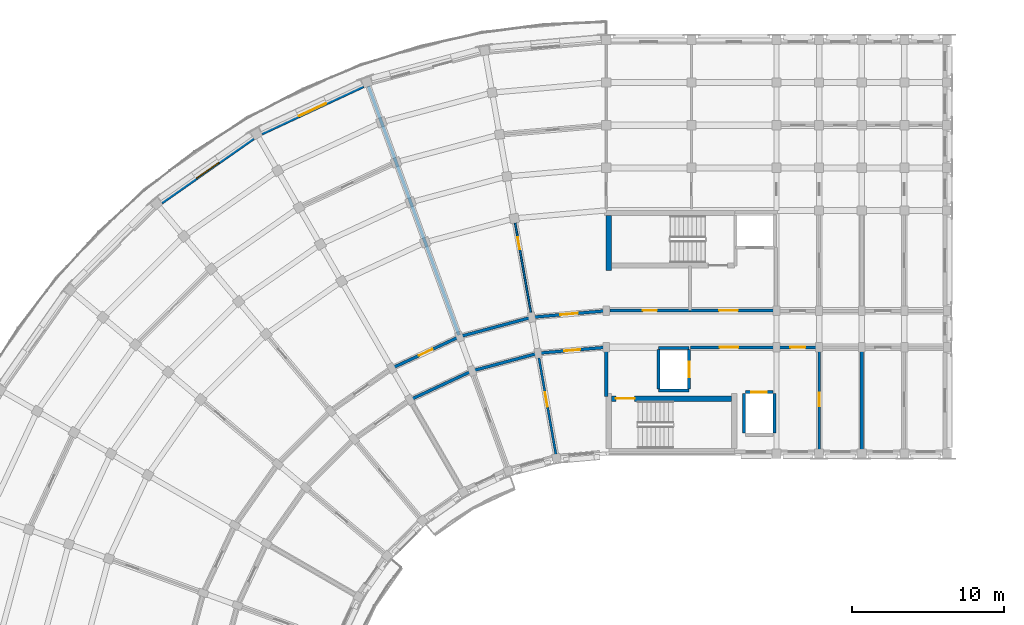
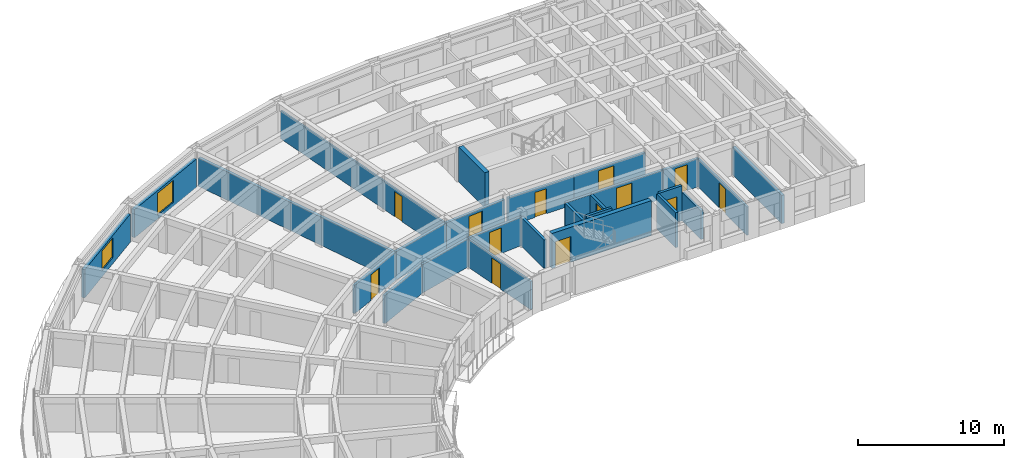
# One storey, part 25 of 53: 27 walls, 13 doors, 2 windows, 15 openings.
"""IFC4 building model written with IfcOpenShell, lengths in metres."""

from ifc_helpers import new_model, si_unit, direction, frame, frame_2d, origin, place, context, subcontext, project, spatial, rectangle, extrude, material, layer, layer_set, type_object, element, fill, save


model = new_model("IFC4")

# Units and contexts
model_context = context("Model", 3, precision=1e-05, world=origin(), true_north=direction((0.0, 1.0)))
body_context = subcontext(model_context, "Body", "Model", "MODEL_VIEW")
ifc_project = project(units=[si_unit("LENGTHUNIT", "METRE"), si_unit("AREAUNIT", "SQUARE_METRE"), si_unit("VOLUMEUNIT", "CUBIC_METRE"), si_unit("PLANEANGLEUNIT", "RADIAN"), si_unit("MASSUNIT", "GRAM", prefix="KILO")], contexts=[model_context])

# Site, building, storey
site_placement = place(None, origin())
site = spatial("IfcSite", under=ifc_project, at=site_placement, CompositionType="ELEMENT")
building_placement = place(site_placement, origin())
building = spatial("IfcBuilding", under=site, at=building_placement, Name="Kiranvali Square Residences", CompositionType="ELEMENT")
storey_placement = place(building_placement, frame((0.0, 0.0, 30.75)))
storey = spatial("IfcBuildingStorey", under=building, at=storey_placement, Name="L09", CompositionType="ELEMENT", Elevation=30.75)

# Wall, opening, door
ifc_material_1 = material(Name="Autoclaved aerated concrete blockwork masonry", Category="masonry")
ifc_layer_1 = layer(ifc_material_1, 0.199951171875)
ifc_layer_set_1 = layer_set([ifc_layer_1], Name="Autoclaved aerated concrete blockwork masonry")
wall_type_1 = type_object("IfcWallType", Name="WL-COR-200", PredefinedType="STANDARD", material=ifc_layer_set_1)
wall_1_placement = place(storey_placement, frame((53.75, 113.60009765625, 0.0), z_axis=(0.0, 0.0, 1.0), x_axis=(1.0, 0.0, 0.0)))
wall_1 = element("IfcWall", 1, at=wall_1_placement, inside=storey, type_object=wall_type_1, Name="L09 architectural wall WL-L09-A-LL-COR", PredefinedType="STANDARD", context=body_context, shape_type="SweptSolid", body=[
    extrude(rectangle(XDim=5.60009765625, YDim=0.199951171875, at=frame_2d((2.800048828125, 0.0))), origin(), (0.0, 0.0, 1.0), 2.3720703125),
])
opening_1_placement = place(wall_1_placement, frame((1.909912109375, 0.0, 0.0)))
opening_1 = element("IfcOpeningElement", 2, at=opening_1_placement, cuts=wall_1, Name="Opening FD-COR-60", PredefinedType="OPENING", context=body_context, shape_type="SweptSolid", body=[
    extrude(rectangle(XDim=1.219970703125, YDim=2.14990234375, at=frame_2d((0.60986328125, 1.074951171875))), frame((0.0, 0.10986328125, 0.0), z_axis=(0.0, -1.0, 0.0), x_axis=(1.0, 0.0, 0.0)), (0.0, 0.0, 1.0), 0.219970703125),
])
ifc_material_2 = material(Name="Fire-rated acoustic hardwood and mineral-core door assembly", Category="wood")
door_type_1 = type_object("IfcDoorType", Name="DR-FD60-1200", OperationType="NOTDEFINED", PredefinedType="DOOR", material=ifc_material_2)
door_1_placement = place(opening_1_placement, frame((1.219970703125, 0.0, 0.0), z_axis=(0.0, 0.0, 1.0), x_axis=(-1.0, 0.0, 0.0)))
door_1 = element("IfcDoor", 3, at=door_1_placement, inside=storey, type_object=door_type_1, Name="L09 door DR-L09-0576 (DR-FD60-1200)", OperationType="SINGLE_SWING_RIGHT", OverallHeight=2.14990234375, OverallWidth=1.219970703125, PredefinedType="DOOR", context=body_context, shape_type="SweptSolid", body=[
    extrude(rectangle(XDim=1.219970703125, YDim=2.14990234375, at=frame_2d((0.60986328125, 1.074951171875))), frame((0.0, 0.02490234375, 0.0), z_axis=(0.0, -1.0, 0.0), x_axis=(1.0, 0.0, 0.0)), (0.0, 0.0, 1.0), 0.050048828125),
])
fill(opening_1, door_1)

wall_2_placement = place(storey_placement, frame((59.39990234375, 113.60009765625, 0.0), z_axis=(0.0, 0.0, 1.0), x_axis=(1.0, 0.0, 0.0)))
wall_2 = element("IfcWall", 4, at=wall_2_placement, inside=storey, type_object=wall_type_1, Name="L09 architectural wall WL-L09-A-A1CI-0", PredefinedType="STANDARD", context=body_context, shape_type="SweptSolid", body=[
    extrude(rectangle(XDim=2.800048828125, YDim=0.199951171875, at=frame_2d((1.39990234375, 0.0))), origin(), (0.0, 0.0, 1.0), 2.3720703125),
])
opening_2_placement = place(wall_2_placement, frame((0.89990234375, 0.0, 0.0)))
opening_2 = element("IfcOpeningElement", 5, at=opening_2_placement, cuts=wall_2, Name="Opening FD-APT-60", PredefinedType="OPENING", context=body_context, shape_type="SweptSolid", body=[
    extrude(rectangle(XDim=1.0, YDim=2.14990234375, at=frame_2d((0.5, 1.074951171875))), frame((0.0, 0.10986328125, 0.0), z_axis=(0.0, -1.0, 0.0), x_axis=(1.0, 0.0, 0.0)), (0.0, 0.0, 1.0), 0.219970703125),
])
door_type_2 = type_object("IfcDoorType", Name="DR-APT-1000", OperationType="NOTDEFINED", PredefinedType="DOOR", material=ifc_material_2)
door_2_placement = place(opening_2_placement, frame((1.0, 0.0, 0.0), z_axis=(0.0, 0.0, 1.0), x_axis=(-1.0, 0.0, 0.0)))
door_2 = element("IfcDoor", 6, at=door_2_placement, inside=storey, type_object=door_type_2, Name="L09 door DR-L09-0580 (DR-APT-1000)", OperationType="SINGLE_SWING_RIGHT", OverallHeight=2.14990234375, OverallWidth=1.0, PredefinedType="DOOR", context=body_context, shape_type="SweptSolid", body=[
    extrude(rectangle(XDim=1.0, YDim=2.14990234375, at=frame_2d((0.5, 1.074951171875))), frame((0.0, 0.02490234375, 0.0), z_axis=(0.0, -1.0, 0.0), x_axis=(1.0, 0.0, 0.0)), (0.0, 0.0, 1.0), 0.050048828125),
])
fill(opening_2, door_2)

wall_3_placement = place(storey_placement, frame((48.199951171875, 113.60009765625, 0.0), z_axis=(0.0, 0.0, 1.0), x_axis=(-0.996191949488, -0.087187153726, 0.0)))
wall_3 = element("IfcWall", 7, at=wall_3_placement, inside=storey, type_object=wall_type_1, Name="L09 architectural wall WL-L09-A-CCI-0", PredefinedType="STANDARD", context=body_context, shape_type="SweptSolid", body=[
    extrude(rectangle(XDim=4.4970703125, YDim=0.199951171875, at=frame_2d((2.24853515625, 0.0))), origin(), (0.0, 0.0, 1.0), 2.3720703125),
])
opening_3_placement = place(wall_3_placement, frame((1.728515625, 0.0, 0.0)))
opening_3 = element("IfcOpeningElement", 8, at=opening_3_placement, cuts=wall_3, Name="Opening FD-APT-60B", PredefinedType="OPENING", context=body_context, shape_type="SweptSolid", body=[
    extrude(rectangle(XDim=1.0400390625, YDim=2.14990234375, at=frame_2d((0.52001953125, 1.074951171875))), frame((0.0, 0.10986328125, 0.0), z_axis=(0.0, -1.0, 0.0), x_axis=(1.0, 0.0, 0.0)), (0.0, 0.0, 1.0), 0.219970703125),
])
door_type_3 = type_object("IfcDoorType", Name="DR-APT-1040", OperationType="NOTDEFINED", PredefinedType="DOOR", material=ifc_material_2)
door_3_placement = place(opening_3_placement, frame((1.0400390625, 0.0, 0.0), z_axis=(0.0, 0.0, 1.0), x_axis=(-1.0, 0.0, 0.0)))
door_3 = element("IfcDoor", 9, at=door_3_placement, inside=storey, type_object=door_type_3, Name="L09 door DR-L09-0616 (DR-APT-1040)", OperationType="SINGLE_SWING_RIGHT", OverallHeight=2.14990234375, OverallWidth=1.0400390625, PredefinedType="DOOR", context=body_context, shape_type="SweptSolid", body=[
    extrude(rectangle(XDim=1.0400390625, YDim=2.14990234375, at=frame_2d((0.52001953125, 1.074951171875))), frame((0.0, 0.02490234375, 0.0), z_axis=(0.0, -1.0, 0.0), x_axis=(1.0, 0.0, 0.0)), (0.0, 0.0, 1.0), 0.050048828125),
])
fill(opening_3, door_3)

wall_4_placement = place(storey_placement, frame((48.199951171875, 116.0, 0.0), z_axis=(0.0, 0.0, 1.0), x_axis=(-0.996193663584, -0.087167566415, 0.0)))
wall_4 = element("IfcWall", 10, at=wall_4_placement, inside=storey, type_object=wall_type_1, Name="L09 architectural wall WL-L09-A-CCO-0", PredefinedType="STANDARD", context=body_context, shape_type="SweptSolid", body=[
    extrude(rectangle(XDim=4.91552734375, YDim=0.199951171875, at=frame_2d((2.457763671875, 0.0))), origin(), (0.0, 0.0, 1.0), 2.3720703125),
])
opening_4_placement = place(wall_4_placement, frame((1.8876953125, 0.0, 0.0)))
opening_4 = element("IfcOpeningElement", 11, at=opening_4_placement, cuts=wall_4, Name="Opening FD-APT-60D", PredefinedType="OPENING", context=body_context, shape_type="SweptSolid", body=[
    extrude(rectangle(XDim=1.139892578125, YDim=2.14990234375, at=frame_2d((0.56982421875, 1.074951171875))), frame((0.0, 0.10986328125, 0.0), z_axis=(0.0, -1.0, 0.0), x_axis=(1.0, 0.0, 0.0)), (0.0, 0.0, 1.0), 0.219970703125),
])
door_type_4 = type_object("IfcDoorType", Name="DR-APT-1140", OperationType="NOTDEFINED", PredefinedType="DOOR", material=ifc_material_2)
door_4_placement = place(opening_4_placement, origin())
door_4 = element("IfcDoor", 12, at=door_4_placement, inside=storey, type_object=door_type_4, Name="L09 door DR-L09-0607 (DR-APT-1140)", OperationType="SINGLE_SWING_LEFT", OverallHeight=2.14990234375, OverallWidth=1.139892578125, PredefinedType="DOOR", context=body_context, shape_type="SweptSolid", body=[
    extrude(rectangle(XDim=1.139892578125, YDim=2.14990234375, at=frame_2d((0.56982421875, 1.074951171875))), frame((0.0, 0.02490234375, 0.0), z_axis=(0.0, -1.0, 0.0), x_axis=(1.0, 0.0, 0.0)), (0.0, 0.0, 1.0), 0.050048828125),
])
fill(opening_4, door_4)

# Walls
wall_5_placement = place(storey_placement, frame((43.719970703125, 113.2080078125, 0.0), z_axis=(0.0, 0.0, 1.0), x_axis=(-0.965934240054, -0.258787642463, 0.0)))
element("IfcWall", 13, at=wall_5_placement, inside=storey, type_object=wall_type_1, Name="L09 architectural wall WL-L09-A-CCI-1", PredefinedType="STANDARD", context=body_context, shape_type="SweptSolid", body=[
    extrude(rectangle(XDim=4.497314453125, YDim=0.199951171875, at=frame_2d((2.24853515625, 0.0))), origin(), (0.0, 0.0, 1.0), 2.3720703125),
])
wall_6_placement = place(storey_placement, frame((43.30322265625, 115.571533203125, 0.0), z_axis=(0.0, 0.0, 1.0), x_axis=(-0.965930095386, -0.258803112091, 0.0)))
element("IfcWall", 14, at=wall_6_placement, inside=storey, type_object=wall_type_1, Name="L09 architectural wall WL-L09-A-CCO-1", PredefinedType="STANDARD", context=body_context, shape_type="SweptSolid", body=[
    extrude(rectangle(XDim=4.915771484375, YDim=0.199951171875, at=frame_2d((2.4580078125, 0.0))), origin(), (0.0, 0.0, 1.0), 2.3720703125),
])
wall_7_placement = place(storey_placement, frame((39.3759765625, 112.044189453125, 0.0), z_axis=(0.0, 0.0, 1.0), x_axis=(-0.906307919131, -0.422617978463, 0.0)))
element("IfcWall", 15, at=wall_7_placement, inside=storey, type_object=wall_type_1, Name="L09 architectural wall WL-L09-A-CCI-2", PredefinedType="STANDARD", context=body_context, shape_type="SweptSolid", body=[
    extrude(rectangle(XDim=4.497314453125, YDim=0.199951171875, at=frame_2d((2.24853515625, 0.0))), origin(), (0.0, 0.0, 1.0), 2.3720703125),
])

# Wall, opening, door
wall_8_placement = place(storey_placement, frame((38.554931640625, 114.29931640625, 0.0), z_axis=(0.0, 0.0, 1.0), x_axis=(-0.906302381024, -0.422629854778, 0.0)))
wall_8 = element("IfcWall", 16, at=wall_8_placement, inside=storey, type_object=wall_type_1, Name="L09 architectural wall WL-L09-A-CCO-2", PredefinedType="STANDARD", context=body_context, shape_type="SweptSolid", body=[
    extrude(rectangle(XDim=4.915283203125, YDim=0.199951171875, at=frame_2d((2.45751953125, 0.0))), origin(), (0.0, 0.0, 1.0), 2.3720703125),
])
opening_5_placement = place(wall_8_placement, frame((1.957763671875, 0.0, 0.0)))
opening_5 = element("IfcOpeningElement", 17, at=opening_5_placement, cuts=wall_8, Name="Opening FD-APT-60", PredefinedType="OPENING", context=body_context, shape_type="SweptSolid", body=[
    extrude(rectangle(XDim=1.0, YDim=2.14990234375, at=frame_2d((0.5, 1.074951171875))), frame((0.0, 0.10986328125, 0.0), z_axis=(0.0, -1.0, 0.0), x_axis=(1.0, 0.0, 0.0)), (0.0, 0.0, 1.0), 0.219970703125),
])
door_5_placement = place(opening_5_placement, origin())
door_5 = element("IfcDoor", 18, at=door_5_placement, inside=storey, type_object=door_type_2, Name="L09 door DR-L09-0609 (DR-APT-1000)", OperationType="SINGLE_SWING_LEFT", OverallHeight=2.14990234375, OverallWidth=1.0, PredefinedType="DOOR", context=body_context, shape_type="SweptSolid", body=[
    extrude(rectangle(XDim=1.0, YDim=2.14990234375, at=frame_2d((0.5, 1.074951171875))), frame((0.0, 0.02490234375, 0.0), z_axis=(0.0, -1.0, 0.0), x_axis=(1.0, 0.0, 0.0)), (0.0, 0.0, 1.0), 0.050048828125),
])
fill(opening_5, door_5)

# Walls
ifc_layer_2 = layer(ifc_material_1, 0.219970703125)
ifc_layer_set_2 = layer_set([ifc_layer_2], Name="Autoclaved aerated concrete blockwork masonry")
wall_type_2 = type_object("IfcWallType", Name="WL-DEM-220", PredefinedType="STANDARD", material=ifc_layer_set_2)
wall_9_placement = place(storey_placement, frame((65.0, 106.800048828125, 0.0), z_axis=(0.0, 0.0, 1.0), x_axis=(0.0, 1.0, 0.0)))
element("IfcWall", 19, at=wall_9_placement, inside=storey, type_object=wall_type_2, Name="L09 architectural wall WL-L09-A-A1TI-2", PredefinedType="STANDARD", context=body_context, shape_type="SweptSolid", body=[
    extrude(rectangle(XDim=6.75, YDim=0.219970703125, at=frame_2d((3.375, 0.0))), origin(), (0.0, 0.0, 1.0), 2.3720703125),
])
wall_10_placement = place(storey_placement, frame((48.199951171875, 110.35009765625, 0.0), z_axis=(0.0, 0.0, 1.0), x_axis=(0.0, 1.0, 0.0)))
element("IfcWall", 20, at=wall_10_placement, inside=storey, type_object=wall_type_2, Name="L09 architectural wall WL-L09-A-RADI-0", PredefinedType="STANDARD", context=body_context, shape_type="SweptSolid", body=[
    extrude(rectangle(XDim=3.199951171875, YDim=0.219970703125, at=frame_2d((1.60009765625, 0.0))), origin(), (0.0, 0.0, 1.0), 2.3720703125),
])
wall_11_placement = place(storey_placement, frame((38.520751953125, 114.393310546875, 0.0), z_axis=(0.0, 0.0, 1.0), x_axis=(-0.342022120477, 0.939691901159, 0.0)))
element("IfcWall", 21, at=wall_11_placement, inside=storey, type_object=wall_type_2, Name="L09 architectural wall WL-L09-A-RADO-2", PredefinedType="STANDARD", context=body_context, shape_type="SweptSolid", body=[
    extrude(rectangle(XDim=17.419921875, YDim=0.219970703125, at=frame_2d((8.7099609375, 0.0))), origin(), (0.0, 0.0, 1.0), 2.3720703125),
])

# Wall, opening, window
ifc_material_3 = material(Name="Breathable lime-rendered clay brick masonry", Category="masonry")
ifc_layer_3 = layer(ifc_material_3, 0.25)
ifc_layer_set_3 = layer_set([ifc_layer_3], Name="Breathable lime-rendered clay brick masonry")
wall_type_3 = type_object("IfcWallType", Name="WL-EXT-250", PredefinedType="STANDARD", material=ifc_layer_set_3)
wall_12_placement = place(storey_placement, frame((32.224853515625, 130.77490234375, 0.0), z_axis=(0.0, 0.0, 1.0), x_axis=(-0.906321090675, -0.422589730823, 0.0)))
wall_12 = element("IfcWall", 22, at=wall_12_placement, inside=storey, type_object=wall_type_3, Name="L09 exterior wall A-L09-CRV-02", PredefinedType="STANDARD", context=body_context, shape_type="SweptSolid", body=[
    extrude(rectangle(XDim=7.3671875, YDim=0.25, at=frame_2d((3.68359375, 0.0))), origin(), (0.0, 0.0, 1.0), 2.3720703125),
])
opening_6_placement = place(wall_12_placement, frame((2.70849609375, 0.0, 0.322021484375)))
opening_6 = element("IfcOpeningElement", 23, at=opening_6_placement, cuts=wall_12, Name="Opening W-12", PredefinedType="OPENING", context=body_context, shape_type="SweptSolid", body=[
    extrude(rectangle(XDim=1.949951171875, YDim=1.85009765625, at=frame_2d((0.97509765625, 0.925048828125))), frame((0.0, 0.135009765625, 0.0), z_axis=(0.0, -1.0, 0.0), x_axis=(1.0, 0.0, 0.0)), (0.0, 0.0, 1.0), 0.27001953125),
])
ifc_material_4 = material(Name="Solar-control low-e double glazing", Category="glass")
window_type_1 = type_object("IfcWindowType", Name="WIN-RES-1950x1850", PartitioningType="DOUBLE_PANEL_VERTICAL", PredefinedType="WINDOW", material=ifc_material_4)
window_1_placement = place(opening_6_placement, origin())
window_1 = element("IfcWindow", 24, at=window_1_placement, inside=storey, type_object=window_type_1, Name="L09 recessed window A-L09-CRV-02", OverallHeight=1.85009765625, OverallWidth=1.949951171875, PartitioningType="DOUBLE_PANEL_VERTICAL", PredefinedType="WINDOW", context=body_context, shape_type="SweptSolid", body=[
    extrude(rectangle(XDim=1.949951171875, YDim=1.85009765625, at=frame_2d((0.97509765625, 0.925048828125))), frame((0.0, 0.030029296875, 0.0), z_axis=(0.0, -1.0, 0.0), x_axis=(1.0, 0.0, 0.0)), (0.0, 0.0, 1.0), 0.06005859375),
])
fill(opening_6, window_1)

wall_13_placement = place(storey_placement, frame((25.0048828125, 127.347900390625, 0.0), z_axis=(0.0, 0.0, 1.0), x_axis=(-0.819147839112, -0.573582441919, 0.0)))
wall_13 = element("IfcWall", 25, at=wall_13_placement, inside=storey, type_object=wall_type_3, Name="L09 exterior wall A-L09-CRV-03", PredefinedType="STANDARD", context=body_context, shape_type="SweptSolid", body=[
    extrude(rectangle(XDim=7.366943359375, YDim=0.25, at=frame_2d((3.68359375, 0.0))), origin(), (0.0, 0.0, 1.0), 2.3720703125),
])
opening_7_placement = place(wall_13_placement, frame((2.783447265625, 0.0, 0.52197265625)))
opening_7 = element("IfcOpeningElement", 26, at=opening_7_placement, cuts=wall_13, Name="Opening W-04", PredefinedType="OPENING", context=body_context, shape_type="SweptSolid", body=[
    extrude(rectangle(XDim=1.800048828125, YDim=1.64990234375, at=frame_2d((0.89990234375, 0.824951171875))), frame((0.0, 0.135009765625, 0.0), z_axis=(0.0, -1.0, 0.0), x_axis=(1.0, 0.0, 0.0)), (0.0, 0.0, 1.0), 0.27001953125),
])
window_type_2 = type_object("IfcWindowType", Name="WIN-RES-1800x1650", PartitioningType="DOUBLE_PANEL_VERTICAL", PredefinedType="WINDOW", material=ifc_material_4)
window_2_placement = place(opening_7_placement, origin())
window_2 = element("IfcWindow", 27, at=window_2_placement, inside=storey, type_object=window_type_2, Name="L09 recessed window A-L09-CRV-03", OverallHeight=1.64990234375, OverallWidth=1.800048828125, PartitioningType="DOUBLE_PANEL_VERTICAL", PredefinedType="WINDOW", context=body_context, shape_type="SweptSolid", body=[
    extrude(rectangle(XDim=1.800048828125, YDim=1.64990234375, at=frame_2d((0.89990234375, 0.824951171875))), frame((0.0, 0.030029296875, 0.0), z_axis=(0.0, -1.0, 0.0), x_axis=(1.0, 0.0, 0.0)), (0.0, 0.0, 1.0), 0.06005859375),
])
fill(opening_7, window_2)

# Wall, opening, door
ifc_layer_4 = layer(ifc_material_1, 0.199951171875)
ifc_layer_set_4 = layer_set([ifc_layer_4], Name="Autoclaved aerated concrete blockwork masonry")
wall_type_4 = type_object("IfcWallType", Name="WL-FFL-200", PredefinedType="STANDARD", material=ifc_layer_set_4)
wall_14_placement = place(storey_placement, frame((53.699951171875, 116.02001953125, 0.0), z_axis=(0.0, 0.0, 1.0), x_axis=(1.0, 0.0, 0.0)))
wall_14 = element("IfcWall", 28, at=wall_14_placement, inside=storey, type_object=wall_type_4, Name="L09 architectural wall WL-L09-A-FF-COR", PredefinedType="STANDARD", context=body_context, shape_type="SweptSolid", body=[
    extrude(rectangle(XDim=5.650146484375, YDim=0.199951171875, at=frame_2d((2.8251953125, 0.0))), origin(), (0.0, 0.0, 1.0), 2.3720703125),
])
opening_8_placement = place(wall_14_placement, frame((1.922607421875, 0.0, 0.0)))
opening_8 = element("IfcOpeningElement", 29, at=opening_8_placement, cuts=wall_14, Name="Opening FD-ST-120", PredefinedType="OPENING", context=body_context, shape_type="SweptSolid", body=[
    extrude(rectangle(XDim=1.239990234375, YDim=2.14990234375, at=frame_2d((0.6201171875, 1.074951171875))), frame((0.0, 0.10986328125, 0.0), z_axis=(0.0, -1.0, 0.0), x_axis=(1.0, 0.0, 0.0)), (0.0, 0.0, 1.0), 0.219970703125),
])
door_type_5 = type_object("IfcDoorType", Name="DR-FD120-1200", OperationType="NOTDEFINED", PredefinedType="DOOR", material=ifc_material_2)
door_6_placement = place(opening_8_placement, frame((1.239990234375, 0.0, 0.0), z_axis=(0.0, 0.0, 1.0), x_axis=(-1.0, 0.0, 0.0)))
door_6 = element("IfcDoor", 30, at=door_6_placement, inside=storey, type_object=door_type_5, Name="L09 door DR-L09-0568 (DR-FD120-1200)", OperationType="SINGLE_SWING_RIGHT", OverallHeight=2.14990234375, OverallWidth=1.239990234375, PredefinedType="DOOR", context=body_context, shape_type="SweptSolid", body=[
    extrude(rectangle(XDim=1.239990234375, YDim=2.14990234375, at=frame_2d((0.6201171875, 1.074951171875))), frame((0.0, 0.02490234375, 0.0), z_axis=(0.0, -1.0, 0.0), x_axis=(1.0, 0.0, 0.0)), (0.0, 0.0, 1.0), 0.050048828125),
])
fill(opening_8, door_6)

ifc_material_5 = material(Name="Acoustic gypsum board drylined partition", Category="gypsum")
ifc_layer_5 = layer(ifc_material_5, 0.125)
ifc_layer_set_5 = layer_set([ifc_layer_5], Name="Acoustic gypsum board drylined partition")
wall_type_5 = type_object("IfcWallType", Name="WL-PRT-125", PredefinedType="PARTITIONING", material=ifc_layer_set_5)
wall_15_placement = place(storey_placement, frame((43.28564453125, 115.670166015625, 0.0), z_axis=(0.0, 0.0, 1.0), x_axis=(-0.173646216546, 0.984808098809, 0.0)))
wall_15 = element("IfcWall", 31, at=wall_15_placement, inside=storey, type_object=wall_type_5, Name="L09 architectural wall WL-L09-A-RADO-1", PredefinedType="PARTITIONING", context=body_context, shape_type="SweptSolid", body=[
    extrude(rectangle(XDim=17.419921875, YDim=0.125, at=frame_2d((8.7099609375, 0.0))), origin(), (0.0, 0.0, 1.0), 2.3720703125),
])
opening_9_placement = place(wall_15_placement, frame((4.44970703125, 0.0, 0.0)))
opening_9 = element("IfcOpeningElement", 32, at=opening_9_placement, cuts=wall_15, Name="Opening ID-WET", PredefinedType="OPENING", context=body_context, shape_type="SweptSolid", body=[
    extrude(rectangle(XDim=0.800048828125, YDim=2.10009765625, at=frame_2d((0.39990234375, 1.050048828125))), frame((0.0, 0.072509765625, 0.0), z_axis=(0.0, -1.0, 0.0), x_axis=(1.0, 0.0, 0.0)), (0.0, 0.0, 1.0), 0.14501953125),
])
ifc_material_6 = material(Name="Solid seasoned teak hardwood joinery", Category="wood")
door_type_6 = type_object("IfcDoorType", Name="DR-WET-800", OperationType="NOTDEFINED", PredefinedType="DOOR", material=ifc_material_6)
door_7_placement = place(opening_9_placement, origin())
door_7 = element("IfcDoor", 33, at=door_7_placement, inside=storey, type_object=door_type_6, Name="L09 door DR-L09-0597 (DR-WET-800)", OperationType="SINGLE_SWING_LEFT", OverallHeight=2.10009765625, OverallWidth=0.800048828125, PredefinedType="DOOR", context=body_context, shape_type="SweptSolid", body=[
    extrude(rectangle(XDim=0.800048828125, YDim=2.10009765625, at=frame_2d((0.39990234375, 1.050048828125))), frame((0.0, 0.02490234375, 0.0), z_axis=(0.0, -1.0, 0.0), x_axis=(1.0, 0.0, 0.0)), (0.0, 0.0, 1.0), 0.050048828125),
])
fill(opening_9, door_7)

ifc_layer_6 = layer(ifc_material_5, 0.14990234375)
ifc_layer_set_6 = layer_set([ifc_layer_6], Name="Acoustic gypsum board drylined partition")
wall_type_6 = type_object("IfcWallType", Name="WL-PRT-150", PredefinedType="PARTITIONING", material=ifc_layer_set_6)
wall_16_placement = place(storey_placement, frame((62.199951171875, 106.800048828125, 0.0), z_axis=(0.0, 0.0, 1.0), x_axis=(0.0, 1.0, 0.0)))
wall_16 = element("IfcWall", 34, at=wall_16_placement, inside=storey, type_object=wall_type_6, Name="L09 architectural wall WL-L09-A-A1TI-1", PredefinedType="PARTITIONING", context=body_context, shape_type="SweptSolid", body=[
    extrude(rectangle(XDim=6.75, YDim=0.14990234375, at=frame_2d((3.375, 0.0))), origin(), (0.0, 0.0, 1.0), 2.3720703125),
])
opening_10_placement = place(wall_16_placement, frame((2.925048828125, 0.0, 0.0)))
opening_10 = element("IfcOpeningElement", 35, at=opening_10_placement, cuts=wall_16, Name="Opening ID-1", PredefinedType="OPENING", context=body_context, shape_type="SweptSolid", body=[
    extrude(rectangle(XDim=0.89990234375, YDim=2.10009765625, at=frame_2d((0.449951171875, 1.050048828125))), frame((0.0, 0.0849609375, 0.0), z_axis=(0.0, -1.0, 0.0), x_axis=(1.0, 0.0, 0.0)), (0.0, 0.0, 1.0), 0.169921875),
])
door_type_7 = type_object("IfcDoorType", Name="DR-INT-900", OperationType="NOTDEFINED", PredefinedType="DOOR", material=ifc_material_6)
door_8_placement = place(opening_10_placement, origin())
door_8 = element("IfcDoor", 36, at=door_8_placement, inside=storey, type_object=door_type_7, Name="L09 door DR-L09-0589 (DR-INT-900)", OperationType="SINGLE_SWING_LEFT", OverallHeight=2.10009765625, OverallWidth=0.89990234375, PredefinedType="DOOR", context=body_context, shape_type="SweptSolid", body=[
    extrude(rectangle(XDim=0.89990234375, YDim=2.10009765625, at=frame_2d((0.449951171875, 1.050048828125))), frame((0.0, 0.02490234375, 0.0), z_axis=(0.0, -1.0, 0.0), x_axis=(1.0, 0.0, 0.0)), (0.0, 0.0, 1.0), 0.050048828125),
])
fill(opening_10, door_8)

wall_17_placement = place(storey_placement, frame((44.900634765625, 106.51123046875, 0.0), z_axis=(0.0, 0.0, 1.0), x_axis=(-0.173647089161, 0.984807944945, 0.0)))
wall_17 = element("IfcWall", 37, at=wall_17_placement, inside=storey, type_object=wall_type_6, Name="L09 architectural wall WL-L09-A-RADI-1", PredefinedType="PARTITIONING", context=body_context, shape_type="SweptSolid", body=[
    extrude(rectangle(XDim=6.75, YDim=0.14990234375, at=frame_2d((3.375, 0.0))), origin(), (0.0, 0.0, 1.0), 2.3720703125),
])
opening_11_placement = place(wall_17_placement, frame((3.222412109375, 0.0, 0.0)))
opening_11 = element("IfcOpeningElement", 38, at=opening_11_placement, cuts=wall_17, Name="Opening ID-3", PredefinedType="OPENING", context=body_context, shape_type="SweptSolid", body=[
    extrude(rectangle(XDim=0.97998046875, YDim=2.1201171875, at=frame_2d((0.489990234375, 1.06005859375))), frame((0.0, 0.0849609375, 0.0), z_axis=(0.0, -1.0, 0.0), x_axis=(1.0, 0.0, 0.0)), (0.0, 0.0, 1.0), 0.169921875),
])
door_type_8 = type_object("IfcDoorType", Name="DR-INT-980", OperationType="NOTDEFINED", PredefinedType="DOOR", material=ifc_material_6)
door_9_placement = place(opening_11_placement, frame((0.97998046875, 0.0, 0.0), z_axis=(0.0, 0.0, 1.0), x_axis=(-1.0, 0.0, 0.0)))
door_9 = element("IfcDoor", 39, at=door_9_placement, inside=storey, type_object=door_type_8, Name="L09 door DR-L09-0596 (DR-INT-980)", OperationType="SINGLE_SWING_RIGHT", OverallHeight=2.1201171875, OverallWidth=0.97998046875, PredefinedType="DOOR", context=body_context, shape_type="SweptSolid", body=[
    extrude(rectangle(XDim=0.97998046875, YDim=2.1201171875, at=frame_2d((0.489990234375, 1.06005859375))), frame((0.0, 0.02490234375, 0.0), z_axis=(0.0, -1.0, 0.0), x_axis=(1.0, 0.0, 0.0)), (0.0, 0.0, 1.0), 0.050048828125),
])
fill(opening_11, door_9)

ifc_layer_7 = layer(ifc_material_1, 0.199951171875)
ifc_layer_set_7 = layer_set([ifc_layer_7], Name="Autoclaved aerated concrete blockwork masonry")
wall_type_7 = type_object("IfcWallType", Name="WL-SHF-200", PredefinedType="STANDARD", material=ifc_layer_set_7)
wall_18_placement = place(storey_placement, frame((48.449951171875, 116.02001953125, 0.0), z_axis=(0.0, 0.0, 1.0), x_axis=(1.0, 0.0, 0.0)))
wall_18 = element("IfcWall", 40, at=wall_18_placement, inside=storey, type_object=wall_type_7, Name="L09 architectural wall WL-L09-A-RSR-COR", PredefinedType="STANDARD", context=body_context, shape_type="SweptSolid", body=[
    extrude(rectangle(XDim=5.25, YDim=0.199951171875, at=frame_2d((2.625, 0.0))), origin(), (0.0, 0.0, 1.0), 2.3720703125),
])
opening_12_placement = place(wall_18_placement, frame((2.1650390625, 0.0, 0.0)))
opening_12 = element("IfcOpeningElement", 41, at=opening_12_placement, cuts=wall_18, Name="Opening FD-SVC-120", PredefinedType="OPENING", context=body_context, shape_type="SweptSolid", body=[
    extrude(rectangle(XDim=0.919921875, YDim=2.10009765625, at=frame_2d((0.4599609375, 1.050048828125))), frame((0.0, 0.10986328125, 0.0), z_axis=(0.0, -1.0, 0.0), x_axis=(1.0, 0.0, 0.0)), (0.0, 0.0, 1.0), 0.219970703125),
])
door_type_9 = type_object("IfcDoorType", Name="DR-SVC-900", OperationType="NOTDEFINED", PredefinedType="DOOR", material=ifc_material_2)
door_10_placement = place(opening_12_placement, origin())
door_10 = element("IfcDoor", 42, at=door_10_placement, inside=storey, type_object=door_type_9, Name="L09 door DR-L09-0569 (DR-SVC-900)", OperationType="SINGLE_SWING_LEFT", OverallHeight=2.10009765625, OverallWidth=0.919921875, PredefinedType="DOOR", context=body_context, shape_type="SweptSolid", body=[
    extrude(rectangle(XDim=0.919921875, YDim=2.10009765625, at=frame_2d((0.4599609375, 1.050048828125))), frame((0.0, 0.02490234375, 0.0), z_axis=(0.0, -1.0, 0.0), x_axis=(1.0, 0.0, 0.0)), (0.0, 0.0, 1.0), 0.050048828125),
])
fill(opening_12, door_10)

# Walls
wall_19_placement = place(storey_placement, frame((57.25, 107.949951171875, 0.0), z_axis=(0.0, 0.0, 1.0), x_axis=(0.0, 1.0, 0.0)))
element("IfcWall", 43, at=wall_19_placement, inside=storey, type_object=wall_type_7, Name="L09 architectural wall WL-L09-A-LP1-S1", PredefinedType="STANDARD", context=body_context, shape_type="SweptSolid", body=[
    extrude(rectangle(XDim=2.60009765625, YDim=0.199951171875, at=frame_2d((1.300048828125, 0.0))), origin(), (0.0, 0.0, 1.0), 2.929931640625),
])
wall_20_placement = place(storey_placement, frame((59.25, 107.949951171875, 0.0), z_axis=(0.0, 0.0, 1.0), x_axis=(0.0, 1.0, 0.0)))
element("IfcWall", 44, at=wall_20_placement, inside=storey, type_object=wall_type_7, Name="L09 architectural wall WL-L09-A-LP1-B", PredefinedType="STANDARD", context=body_context, shape_type="SweptSolid", body=[
    extrude(rectangle(XDim=2.60009765625, YDim=0.199951171875, at=frame_2d((1.300048828125, 0.0))), origin(), (0.0, 0.0, 1.0), 2.3720703125),
])

# Wall, opening, door
wall_21_placement = place(storey_placement, frame((57.35009765625, 110.64990234375, 0.0), z_axis=(0.0, 0.0, 1.0), x_axis=(1.0, 0.0, 0.0)))
wall_21 = element("IfcWall", 45, at=wall_21_placement, inside=storey, type_object=wall_type_7, Name="L09 architectural wall WL-L09-A-LP1-F", PredefinedType="STANDARD", context=body_context, shape_type="SweptSolid", body=[
    extrude(rectangle(XDim=1.7998046875, YDim=0.199951171875, at=frame_2d((0.89990234375, 0.0))), origin(), (0.0, 0.0, 1.0), 2.929931640625),
])
opening_13_placement = place(wall_21_placement, frame((0.389892578125, 0.0, 0.0)))
opening_13 = element("IfcOpeningElement", 46, at=opening_13_placement, cuts=wall_21, Name="Opening LD-PAX-100", PredefinedType="OPENING", context=body_context, shape_type="SweptSolid", body=[
    extrude(rectangle(XDim=1.02001953125, YDim=2.14990234375, at=frame_2d((0.510009765625, 1.074951171875))), frame((0.0, 0.10986328125, 0.0), z_axis=(0.0, -1.0, 0.0), x_axis=(1.0, 0.0, 0.0)), (0.0, 0.0, 1.0), 0.219970703125),
])
door_type_10 = type_object("IfcDoorType", Name="DR-LIFT-1000", OperationType="SLIDING_TO_RIGHT", PredefinedType="DOOR", material=ifc_material_2)
door_11_placement = place(opening_13_placement, origin())
door_11 = element("IfcDoor", 47, at=door_11_placement, inside=storey, type_object=door_type_10, Name="L09 door DR-L09-0574 (DR-LIFT-1000)", OperationType="SLIDING_TO_RIGHT", OverallHeight=2.14990234375, OverallWidth=1.02001953125, PredefinedType="DOOR", context=body_context, shape_type="SweptSolid", body=[
    extrude(rectangle(XDim=1.02001953125, YDim=2.14990234375, at=frame_2d((0.510009765625, 1.074951171875))), frame((0.0, 0.02490234375, 0.0), z_axis=(0.0, -1.0, 0.0), x_axis=(1.0, 0.0, 0.0)), (0.0, 0.0, 1.0), 0.050048828125),
])
fill(opening_13, door_11)

# Walls
wall_22_placement = place(storey_placement, frame((51.64990234375, 110.75, 0.0), z_axis=(0.0, 0.0, 1.0), x_axis=(1.0, 0.0, 0.0)))
element("IfcWall", 48, at=wall_22_placement, inside=storey, type_object=wall_type_7, Name="L09 architectural wall WL-L09-A-LP2-S0", PredefinedType="STANDARD", context=body_context, shape_type="SweptSolid", body=[
    extrude(rectangle(XDim=2.0, YDim=0.199951171875, at=frame_2d((1.0, 0.0))), origin(), (0.0, 0.0, 1.0), 2.929931640625),
])
wall_23_placement = place(storey_placement, frame((51.64990234375, 113.550048828125, 0.0), z_axis=(0.0, 0.0, 1.0), x_axis=(1.0, 0.0, 0.0)))
element("IfcWall", 49, at=wall_23_placement, inside=storey, type_object=wall_type_7, Name="L09 architectural wall WL-L09-A-LP2-B", PredefinedType="STANDARD", context=body_context, shape_type="SweptSolid", body=[
    extrude(rectangle(XDim=2.0, YDim=0.199951171875, at=frame_2d((1.0, 0.0))), origin(), (0.0, 0.0, 1.0), 2.3720703125),
])
wall_24_placement = place(storey_placement, frame((51.64990234375, 110.85009765625, 0.0), z_axis=(0.0, 0.0, 1.0), x_axis=(0.0, 1.0, 0.0)))
element("IfcWall", 50, at=wall_24_placement, inside=storey, type_object=wall_type_7, Name="L09 architectural wall WL-L09-A-LP2-S1", PredefinedType="STANDARD", context=body_context, shape_type="SweptSolid", body=[
    extrude(rectangle(XDim=2.599853515625, YDim=0.199951171875, at=frame_2d((1.2998046875, 0.0))), origin(), (0.0, 0.0, 1.0), 2.3720703125),
])

# Wall, opening, door
wall_25_placement = place(storey_placement, frame((53.64990234375, 110.85009765625, 0.0), z_axis=(0.0, 0.0, 1.0), x_axis=(0.0, 1.0, 0.0)))
wall_25 = element("IfcWall", 51, at=wall_25_placement, inside=storey, type_object=wall_type_7, Name="L09 architectural wall WL-L09-A-LP2-F", PredefinedType="STANDARD", context=body_context, shape_type="SweptSolid", body=[
    extrude(rectangle(XDim=2.599853515625, YDim=0.199951171875, at=frame_2d((1.2998046875, 0.0))), origin(), (0.0, 0.0, 1.0), 2.3720703125),
])
opening_14_placement = place(wall_25_placement, frame((0.7900390625, 0.0, 0.0)))
opening_14 = element("IfcOpeningElement", 52, at=opening_14_placement, cuts=wall_25, Name="Opening LD-PAX-100", PredefinedType="OPENING", context=body_context, shape_type="SweptSolid", body=[
    extrude(rectangle(XDim=1.02001953125, YDim=2.14990234375, at=frame_2d((0.510009765625, 1.074951171875))), frame((0.0, 0.10986328125, 0.0), z_axis=(0.0, -1.0, 0.0), x_axis=(1.0, 0.0, 0.0)), (0.0, 0.0, 1.0), 0.219970703125),
])
door_12_placement = place(opening_14_placement, origin())
door_12 = element("IfcDoor", 53, at=door_12_placement, inside=storey, type_object=door_type_10, Name="L09 door DR-L09-0575 (DR-LIFT-1000)", OperationType="SLIDING_TO_RIGHT", OverallHeight=2.14990234375, OverallWidth=1.02001953125, PredefinedType="DOOR", context=body_context, shape_type="SweptSolid", body=[
    extrude(rectangle(XDim=1.02001953125, YDim=2.14990234375, at=frame_2d((0.510009765625, 1.074951171875))), frame((0.0, 0.02490234375, 0.0), z_axis=(0.0, -1.0, 0.0), x_axis=(1.0, 0.0, 0.0)), (0.0, 0.0, 1.0), 0.050048828125),
])
fill(opening_14, door_12)

# Wall
ifc_material_7 = material(Name="Concrete M45 (45 MPa)", Category="concrete")
ifc_layer_8 = layer(ifc_material_7, 0.320068359375)
ifc_layer_set_8 = layer_set([ifc_layer_8], Name="Concrete M45 (45 MPa)")
wall_type_8 = type_object("IfcWallType", Name="WL-SHR-320", PredefinedType="SHEAR", material=ifc_layer_set_8)
wall_26_placement = place(storey_placement, frame((48.375, 118.64990234375, 0.0), z_axis=(0.0, 0.0, 1.0), x_axis=(0.0, 1.0, 0.0)))
element("IfcWall", 54, at=wall_26_placement, inside=storey, type_object=wall_type_8, Name="Block A core shear wall SW-A1-FAR-L09", PredefinedType="SHEAR", context=body_context, shape_type="SweptSolid", body=[
    extrude(rectangle(XDim=3.60009765625, YDim=0.35009765625, at=frame_2d((1.800048828125, 0.0))), origin(), (0.0, 0.0, 1.0), 2.929931640625),
])

# Wall, opening, door
wall_27_placement = place(storey_placement, frame((48.550048828125, 110.22509765625, 0.0), z_axis=(0.0, 0.0, 1.0), x_axis=(1.0, 0.0, 0.0)))
wall_27 = element("IfcWall", 55, at=wall_27_placement, inside=storey, type_object=wall_type_8, Name="Block A core shear wall SW-A2-IN-L09", PredefinedType="SHEAR", context=body_context, shape_type="SweptSolid", body=[
    extrude(rectangle(XDim=7.89990234375, YDim=0.35009765625, at=frame_2d((3.949951171875, 0.0))), origin(), (0.0, 0.0, 1.0), 2.929931640625),
])
opening_15_placement = place(wall_27_placement, frame((0.280029296875, 0.0, 0.0)))
opening_15 = element("IfcOpeningElement", 56, at=opening_15_placement, cuts=wall_27, Name="Opening FD-ST-120", PredefinedType="OPENING", context=body_context, shape_type="SweptSolid", body=[
    extrude(rectangle(XDim=1.239990234375, YDim=2.14990234375, at=frame_2d((0.6201171875, 1.074951171875))), frame((0.0, 0.18505859375, 0.0), z_axis=(0.0, -1.0, 0.0), x_axis=(1.0, 0.0, 0.0)), (0.0, 0.0, 1.0), 0.3701171875),
])
door_13_placement = place(opening_15_placement, frame((1.239990234375, 0.0, 0.0), z_axis=(0.0, 0.0, 1.0), x_axis=(-1.0, 0.0, 0.0)))
door_13 = element("IfcDoor", 57, at=door_13_placement, inside=storey, type_object=door_type_5, Name="L09 door DR-L09-0572 (DR-FD120-1200)", OperationType="SINGLE_SWING_RIGHT", OverallHeight=2.14990234375, OverallWidth=1.239990234375, PredefinedType="DOOR", context=body_context, shape_type="SweptSolid", body=[
    extrude(rectangle(XDim=1.239990234375, YDim=2.14990234375, at=frame_2d((0.6201171875, 1.074951171875))), frame((0.0, 0.02490234375, 0.0), z_axis=(0.0, -1.0, 0.0), x_axis=(1.0, 0.0, 0.0)), (0.0, 0.0, 1.0), 0.050048828125),
])
fill(opening_15, door_13)

save(model, "model.ifc")
